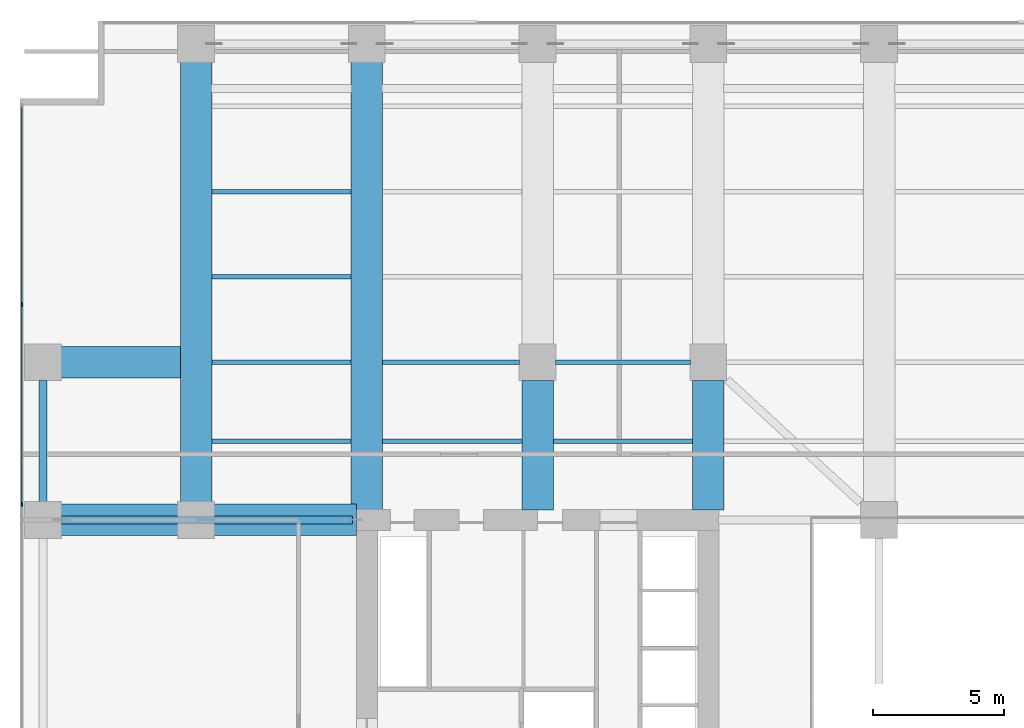
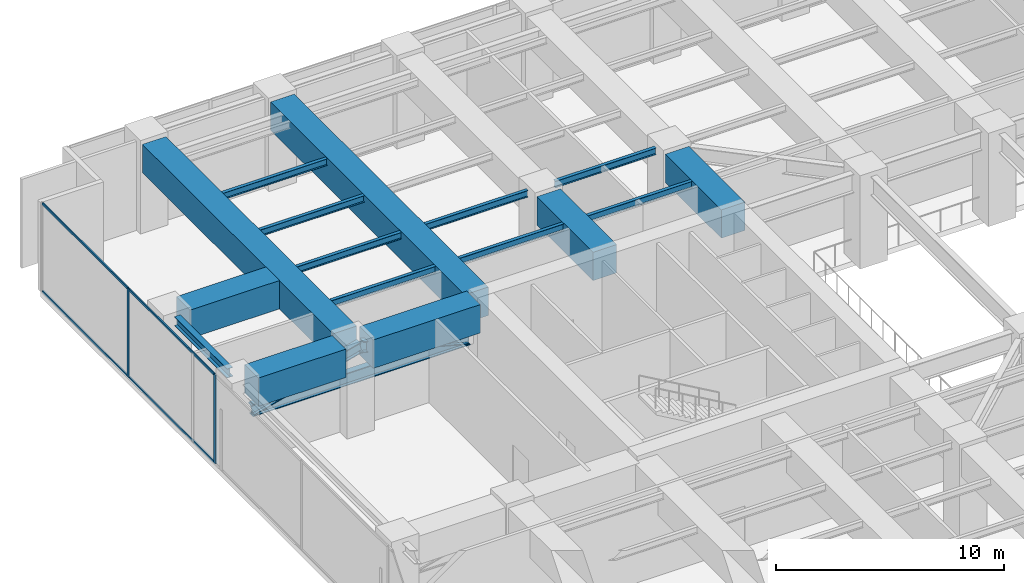
# One storey, part 8 of 31: 16 beams, 9 members, 1 element without a shape of its own.
"""IFC4 building model written with IfcOpenShell, lengths in metres."""

from ifc_helpers import new_model, si_unit, direction, frame, origin, origin_2d, place, context, subcontext, project, spatial, rectangle, i_section, extrude, material, layer, layer_set, material_profile, profile_set, type_object, element, aggregate, save


model = new_model("IFC4")

# Units and contexts
model_context = context("Model", 3, precision=1e-05, world=origin(), true_north=direction((0.0, 1.0)))
body_context = subcontext(model_context, "Body", "Model", "MODEL_VIEW")
ifc_project = project(units=[si_unit("LENGTHUNIT", "METRE"), si_unit("AREAUNIT", "SQUARE_METRE"), si_unit("VOLUMEUNIT", "CUBIC_METRE"), si_unit("PLANEANGLEUNIT", "RADIAN"), si_unit("MASSUNIT", "GRAM", prefix="KILO")], contexts=[model_context])

# Site, building, storey
site_placement = place(None, origin())
site = spatial("IfcSite", under=ifc_project, at=site_placement, CompositionType="ELEMENT")
building_placement = place(site_placement, origin())
building = spatial("IfcBuilding", under=site, at=building_placement, Name="Putna Gate Headquarters", CompositionType="ELEMENT")
storey_placement = place(building_placement, frame((0.0, 0.0, 81.0)))
storey = spatial("IfcBuildingStorey", under=building, at=storey_placement, Name="L19", CompositionType="ELEMENT", Elevation=81.0)

# Beams
ifc_material_1 = material(Name="Steel S355J2", Category="steel")
ifc_material_profile_1 = material_profile(ifc_material_1, i_section(OverallWidth=0.169921875, OverallDepth=0.360107421875, WebThickness=0.008056640625, FlangeThickness=0.0126953125, at=origin_2d()), Name="Steel S355J2")
ifc_profile_set_1 = profile_set([ifc_material_profile_1], Name="Steel S355J2")
beam_type_1 = type_object("IfcBeamType", Name="BM-SEC-Z2-IPE360", PredefinedType="BEAM", material=ifc_profile_set_1)
for number, where, z_axis, x_axis, name in (
    (1, (7.10400390625, 36.0, 4.5849609375), (1.0, 0.0, 0.0), (0.0, 1.0, 0.0), "L19 North Secondary Beam 1"),
    (2, (7.10400390625, 39.0, 4.5849609375), (1.0, 0.0, 0.0), (0.0, 1.0, 0.0), "L19 North Secondary Beam 1"),
    (3, (7.10400390625, 42.25, 4.5849609375), (1.0, 0.0, 0.0), (0.0, 1.0, 0.0), "L19 North Secondary Beam 1"),
    (4, (7.10400390625, 45.5, 4.5849609375), (1.0, 0.0, 0.0), (0.0, 1.0, 0.0), "L19 North Secondary Beam 1"),
    (5, (13.60400390625, 36.0, 4.5849609375), (1.0, 0.0, 0.0), (0.0, 1.0, 0.0), "L19 North Secondary Beam 2"),
):
    element("IfcBeam", number, at=place(storey_placement, frame(where, z_axis=z_axis, x_axis=x_axis)), inside=storey, type_object=beam_type_1, Name=name, PredefinedType="BEAM", context=body_context, shape_type="SweptSolid", body=[
        extrude(i_section(OverallWidth=0.169921875, OverallDepth=0.360107421875, WebThickness=0.008056640625, FlangeThickness=0.0126953125, at=origin_2d()), origin(), (0.0, 0.0, 1.0), 5.2919921875),
    ])
beam_1_placement = place(storey_placement, frame((13.60400390625, 39.0, 4.5849609375), z_axis=(1.0, 0.0, 0.0), x_axis=(0.0, 1.0, 0.0)))
element("IfcBeam", 6, at=beam_1_placement, inside=storey, type_object=beam_type_1, Name="L19 North Secondary Beam 2", PredefinedType="BEAM", context=body_context, shape_type="SweptSolid", body=[
    extrude(i_section(OverallWidth=0.169921875, OverallDepth=0.360107421875, WebThickness=0.008056640625, FlangeThickness=0.0126953125, at=origin_2d()), origin(), (0.0, 0.0, 1.0), 5.2080078125),
])
beam_2_placement = place(storey_placement, frame((20.10400390625, 36.0, 4.5849609375), z_axis=(1.0, 0.0, 0.0), x_axis=(0.0, 1.0, 0.0)))
element("IfcBeam", 7, at=beam_2_placement, inside=storey, type_object=beam_type_1, Name="L19 North Secondary Beam 3", PredefinedType="BEAM", context=body_context, shape_type="SweptSolid", body=[
    extrude(i_section(OverallWidth=0.169921875, OverallDepth=0.360107421875, WebThickness=0.008056640625, FlangeThickness=0.0126953125, at=origin_2d()), origin(), (0.0, 0.0, 1.0), 5.2919921875),
])
beam_3_placement = place(storey_placement, frame((20.18798828125, 39.0, 4.5849609375), z_axis=(1.0, 0.0, 0.0), x_axis=(0.0, 1.0, 0.0)))
element("IfcBeam", 8, at=beam_3_placement, inside=storey, type_object=beam_type_1, Name="L19 North Secondary Beam 3", PredefinedType="BEAM", context=body_context, shape_type="SweptSolid", body=[
    extrude(i_section(OverallWidth=0.169921875, OverallDepth=0.360107421875, WebThickness=0.008056640625, FlangeThickness=0.0126953125, at=origin_2d()), origin(), (0.0, 0.0, 1.0), 5.1240234375),
])
ifc_material_profile_2 = material_profile(ifc_material_1, i_section(OverallWidth=0.300048828125, OverallDepth=0.489990234375, WebThickness=0.011962890625, FlangeThickness=0.02294921875, at=origin_2d()), Name="Steel S355J2")
ifc_profile_set_2 = profile_set([ifc_material_profile_2], Name="Steel S355J2")
beam_type_2 = type_object("IfcBeamType", Name="BM-SPAN-Z2-HEA500", PredefinedType="SPANDREL", material=ifc_profile_set_2)
beam_4_placement = place(storey_placement, frame((0.679931640625, 33.68798828125, 4.52001953125), z_axis=(0.0, 1.0, 0.0), x_axis=(-1.0, 0.0, 0.0)))
element("IfcBeam", 9, at=beam_4_placement, inside=storey, type_object=beam_type_2, Name="L19 W End Spandrel 3", PredefinedType="SPANDREL", context=body_context, shape_type="SweptSolid", body=[
    extrude(i_section(OverallWidth=0.300048828125, OverallDepth=0.489990234375, WebThickness=0.011962890625, FlangeThickness=0.02294921875, at=origin_2d()), origin(), (0.0, 0.0, 1.0), 4.6240234375),
])
ifc_material_2 = material(Name="Concrete C50/60", Category="concrete")
ifc_material_profile_3 = material_profile(ifc_material_2, rectangle(XDim=1.199951171875, YDim=1.52001953125, at=origin_2d()), Name="Concrete C50/60")
ifc_profile_set_3 = profile_set([ifc_material_profile_3], Name="Concrete C50/60")
beam_type_3 = type_object("IfcBeamType", Name="BM-TG-RC1520", PredefinedType="USERDEFINED", material=ifc_profile_set_3)
beam_5_placement = place(storey_placement, frame((1.367919921875, 33.0, 4.0048828125), z_axis=(1.0, 0.0, 0.0), x_axis=(0.0, 1.0, 0.0)))
element("IfcBeam", 10, at=beam_5_placement, inside=storey, type_object=beam_type_3, Name="L19 West Wing Girder Y33-1", ObjectType="GIRDER", PredefinedType="USERDEFINED", context=body_context, shape_type="SweptSolid", body=[
    extrude(rectangle(XDim=1.199951171875, YDim=1.52001953125, at=origin_2d()), origin(), (0.0, 0.0, 1.0), 4.444091796875),
])
beam_6_placement = place(storey_placement, frame((7.18798828125, 33.0, 4.0048828125), z_axis=(1.0, 0.0, 0.0), x_axis=(0.0, 1.0, 0.0)))
element("IfcBeam", 11, at=beam_6_placement, inside=storey, type_object=beam_type_3, Name="L19 West Wing Girder Y33-2", ObjectType="GIRDER", PredefinedType="USERDEFINED", context=body_context, shape_type="SweptSolid", body=[
    extrude(rectangle(XDim=1.199951171875, YDim=1.52001953125, at=origin_2d()), origin(), (0.0, 0.0, 1.0), 5.427001953125),
])
beam_7_placement = place(storey_placement, frame((1.367919921875, 39.0, 4.0048828125), z_axis=(1.0, 0.0, 0.0), x_axis=(0.0, 1.0, 0.0)))
element("IfcBeam", 12, at=beam_7_placement, inside=storey, type_object=beam_type_3, Name="L19 West Setback Girder Y39", ObjectType="GIRDER", PredefinedType="USERDEFINED", context=body_context, shape_type="SweptSolid", body=[
    extrude(rectangle(XDim=1.199951171875, YDim=1.52001953125, at=origin_2d()), origin(), (0.0, 0.0, 1.0), 4.547119140625),
])
beam_8_placement = place(storey_placement, frame((6.5, 33.68798828125, 4.0048828125), z_axis=(0.0, 1.0, 0.0), x_axis=(-1.0, 0.0, 0.0)))
element("IfcBeam", 13, at=beam_8_placement, inside=storey, type_object=beam_type_3, Name="L19 North Primary Girder X6", ObjectType="GIRDER", PredefinedType="USERDEFINED", context=body_context, shape_type="SweptSolid", body=[
    extrude(rectangle(XDim=1.199951171875, YDim=1.52001953125, at=origin_2d()), origin(), (0.0, 0.0, 1.0), 16.743896484375),
])
beam_9_placement = place(storey_placement, frame((13.0, 33.385009765625, 4.0048828125), z_axis=(0.0, 1.0, 0.0), x_axis=(-1.0, 0.0, 0.0)))
element("IfcBeam", 14, at=beam_9_placement, inside=storey, type_object=beam_type_3, Name="L19 North Primary Girder X13", ObjectType="GIRDER", PredefinedType="USERDEFINED", context=body_context, shape_type="SweptSolid", body=[
    extrude(rectangle(XDim=1.199951171875, YDim=1.52001953125, at=origin_2d()), origin(), (0.0, 0.0, 1.0), 17.046875),
])
for number, where, z_axis, x_axis, name in (
    (15, (19.5, 33.385009765625, 4.0048828125), (0.0, 1.0, 0.0), (-1.0, 0.0, 0.0), "L19 North Primary Girder X19-1"),
    (16, (26.0, 33.385009765625, 4.0048828125), (0.0, 1.0, 0.0), (-1.0, 0.0, 0.0), "L19 North Primary Girder X26-1"),
):
    element("IfcBeam", number, at=place(storey_placement, frame(where, z_axis=z_axis, x_axis=x_axis)), inside=storey, type_object=beam_type_3, Name=name, ObjectType="GIRDER", PredefinedType="USERDEFINED", context=body_context, shape_type="SweptSolid", body=[
        extrude(rectangle(XDim=1.199951171875, YDim=1.52001953125, at=origin_2d()), origin(), (0.0, 0.0, 1.0), 4.927001953125),
    ])

# Members
ifc_material_3 = material(Name="Steel S460M", Category="steel")
ifc_material_profile_4 = material_profile(ifc_material_3, i_section(OverallWidth=0.304931640625, OverallDepth=0.66796875, WebThickness=0.02099609375, FlangeThickness=0.0400390625, at=origin_2d()), Name="Steel S460M")
ifc_profile_set_4 = profile_set([ifc_material_profile_4], Name="Steel S460M")
member_type_1 = type_object("IfcMemberType", Name="MEM-OUTRIGGER-CHORD-HEM650", PredefinedType="CHORD", material=ifc_profile_set_4)
member_1_placement = place(storey_placement, frame((1.364990234375, 33.0, 2.75), z_axis=(1.0, 0.0, 0.0), x_axis=(0.0, 1.0, 0.0)))
element("IfcMember", 17, at=member_1_placement, inside=storey, type_object=member_type_1, Name="L19 Outrigger Bottom Chord WN", PredefinedType="CHORD", context=body_context, shape_type="SweptSolid", body=[
    extrude(i_section(OverallWidth=0.304931640625, OverallDepth=0.66796875, WebThickness=0.02099609375, FlangeThickness=0.0400390625, at=origin_2d()), origin(), (0.0, 0.0, 1.0), 11.014892578125),
])
ifc_material_profile_5 = material_profile(ifc_material_3, i_section(OverallWidth=0.305908203125, OverallDepth=0.572021484375, WebThickness=0.02099609375, FlangeThickness=0.0400390625, at=origin_2d()), Name="Steel S460M")
ifc_profile_set_5 = profile_set([ifc_material_profile_5], Name="Steel S460M")
member_type_2 = type_object("IfcMemberType", Name="MEM-OUTRIGGER-DIAG-HEM550", PredefinedType="BRACE", material=ifc_profile_set_5)
member_2_placement = place(storey_placement, frame((1.364990234375, 33.0, 2.75), z_axis=(0.96639189338, 0.0, 0.257073352195), x_axis=(0.0, 1.0, 0.0)))
element("IfcMember", 18, at=member_2_placement, inside=storey, type_object=member_type_2, Name="L19 Outrigger Truss Brace WN-1", PredefinedType="BRACE", context=body_context, shape_type="SweptSolid", body=[
    extrude(i_section(OverallWidth=0.305908203125, OverallDepth=0.572021484375, WebThickness=0.02099609375, FlangeThickness=0.0400390625, at=origin_2d()), origin(), (0.0, 0.0, 1.0), 5.69921875),
])
member_3_placement = place(storey_placement, frame((6.87255859375, 33.0, 4.215087890625), z_axis=(0.966389062154, 0.0, -0.257083995123), x_axis=(0.0, 1.0, 0.0)))
element("IfcMember", 19, at=member_3_placement, inside=storey, type_object=member_type_2, Name="L19 Outrigger Truss Brace WN-2", PredefinedType="BRACE", context=body_context, shape_type="SweptSolid", body=[
    extrude(i_section(OverallWidth=0.305908203125, OverallDepth=0.572021484375, WebThickness=0.02099609375, FlangeThickness=0.0400390625, at=origin_2d()), origin(), (0.0, 0.0, 1.0), 5.698974609375),
])

# Curtain wall, members
ifc_material_4 = material(Name="Anodised bronze aluminium curtain wall", Category="aluminium")
ifc_layer = layer(ifc_material_4, 0.159912109375)
ifc_layer_set = layer_set([ifc_layer], Name="Anodised bronze aluminium curtain wall")
curtain_wall_type = type_object("IfcCurtainWallType", Name="CW-SYS-CRN", PredefinedType="USERDEFINED", material=ifc_layer_set)
curtain_wall_placement = place(storey_placement, origin())
curtain_wall = element("IfcCurtainWall", 20, at=curtain_wall_placement, inside=storey, type_object=curtain_wall_type, Name="L19 Acoustic Louvre West Enclosure", ObjectType="STICK CURTAIN WALL", PredefinedType="USERDEFINED")
ifc_material_5 = material(Name="Anodised bronze aluminium EN AW-6060", Category="aluminium")
ifc_material_profile_6 = material_profile(ifc_material_5, rectangle(XDim=0.06494140625, YDim=0.159912109375, at=origin_2d()), Name="Anodised bronze aluminium EN AW-6060")
ifc_profile_set_6 = profile_set([ifc_material_profile_6], Name="Anodised bronze aluminium EN AW-6060")
member_type_3 = type_object("IfcMemberType", Name="MULL-CWM-CR", PredefinedType="MULLION", material=ifc_profile_set_6)
member_4_placement = place(storey_placement, frame((-0.1201171875, 33.60009765625, 0.0), z_axis=(0.0, 0.0, 1.0), x_axis=(-1.0, 0.0, 0.0)))
member_4 = element("IfcMember", 21, at=member_4_placement, type_object=member_type_3, Name="CWS-CR mullion 5", PredefinedType="MULLION", context=body_context, shape_type="SweptSolid", body=[
    extrude(rectangle(XDim=0.06494140625, YDim=0.159912109375, at=origin_2d()), origin(), (0.0, 0.0, 1.0), 4.764892578125),
])
member_5_placement = place(storey_placement, frame((-0.1201171875, 41.199951171875, 0.0), z_axis=(0.0, 0.0, 1.0), x_axis=(-1.0, 0.0, 0.0)))
member_5 = element("IfcMember", 22, at=member_5_placement, type_object=member_type_3, Name="CWS-CR mullion 6", PredefinedType="MULLION", context=body_context, shape_type="SweptSolid", body=[
    extrude(rectangle(XDim=0.06494140625, YDim=0.159912109375, at=origin_2d()), origin(), (0.0, 0.0, 1.0), 4.764892578125),
])
ifc_material_profile_7 = material_profile(ifc_material_5, rectangle(XDim=0.06494140625, YDim=0.1201171875, at=origin_2d()), Name="Anodised bronze aluminium EN AW-6060")
ifc_profile_set_7 = profile_set([ifc_material_profile_7], Name="Anodised bronze aluminium EN AW-6060")
member_type_4 = type_object("IfcMemberType", Name="TRAN-CWT-CR", PredefinedType="USERDEFINED", material=ifc_profile_set_7)
member_6_placement = place(storey_placement, frame((-0.1201171875, 33.632568359375, 0.032470703125), z_axis=(0.0, 1.0, 0.0), x_axis=(-1.0, 0.0, 0.0)))
member_6 = element("IfcMember", 23, at=member_6_placement, type_object=member_type_4, Name="CWS-CR transom 5.1", ObjectType="TRANSOM", PredefinedType="USERDEFINED", context=body_context, shape_type="SweptSolid", body=[
    extrude(rectangle(XDim=0.06494140625, YDim=0.1201171875, at=origin_2d()), origin(), (0.0, 0.0, 1.0), 7.534912109375),
])
member_7_placement = place(storey_placement, frame((-0.1201171875, 33.632568359375, 4.732421875), z_axis=(0.0, 1.0, 0.0), x_axis=(-1.0, 0.0, 0.0)))
member_7 = element("IfcMember", 24, at=member_7_placement, type_object=member_type_4, Name="CWS-CR transom 5.2", ObjectType="TRANSOM", PredefinedType="USERDEFINED", context=body_context, shape_type="SweptSolid", body=[
    extrude(rectangle(XDim=0.06494140625, YDim=0.1201171875, at=origin_2d()), origin(), (0.0, 0.0, 1.0), 7.534912109375),
])
member_8_placement = place(storey_placement, frame((-0.1201171875, 41.232421875, 0.032470703125), z_axis=(0.0, 1.0, 0.0), x_axis=(-1.0, 0.0, 0.0)))
member_8 = element("IfcMember", 25, at=member_8_placement, type_object=member_type_4, Name="CWS-CR transom 6.1", ObjectType="TRANSOM", PredefinedType="USERDEFINED", context=body_context, shape_type="SweptSolid", body=[
    extrude(rectangle(XDim=0.06494140625, YDim=0.1201171875, at=origin_2d()), origin(), (0.0, 0.0, 1.0), 7.502685546875),
])
member_9_placement = place(storey_placement, frame((-0.1201171875, 41.232421875, 4.732421875), z_axis=(0.0, 1.0, 0.0), x_axis=(-1.0, 0.0, 0.0)))
member_9 = element("IfcMember", 26, at=member_9_placement, type_object=member_type_4, Name="CWS-CR transom 6.2", ObjectType="TRANSOM", PredefinedType="USERDEFINED", context=body_context, shape_type="SweptSolid", body=[
    extrude(rectangle(XDim=0.06494140625, YDim=0.1201171875, at=origin_2d()), origin(), (0.0, 0.0, 1.0), 7.502685546875),
])
aggregate(curtain_wall, [member_4, member_5, member_6, member_7, member_8, member_9])

save(model, "model.ifc")
